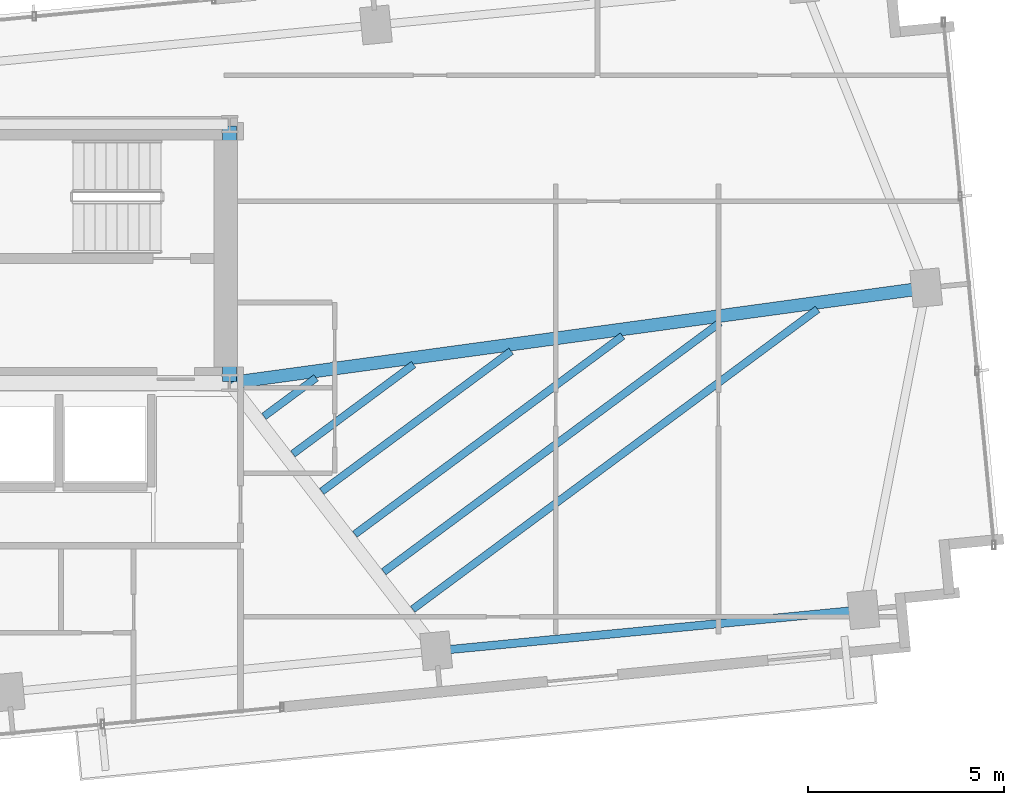
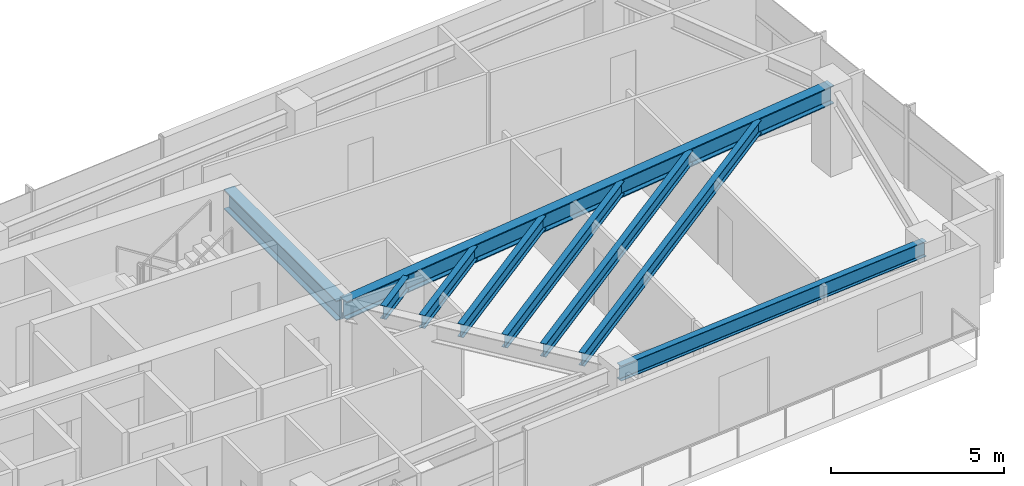
# One storey, part 9 of 18: 9 beams.
"""IFC4 building model written with IfcOpenShell, lengths in metres."""

from ifc_helpers import new_model, si_unit, direction, frame, origin, origin_2d, place, context, subcontext, project, spatial, i_section, extrude, source, transform, mapped, material, material_profile, profile_set, type_object, type_shapes, element, save


model = new_model("IFC4")

# Units and contexts
model_context = context("Model", 3, precision=1e-05, world=origin(), true_north=direction((0.0, 1.0)))
body_context = subcontext(model_context, "Body", "Model", "MODEL_VIEW")
ifc_project = project(units=[si_unit("LENGTHUNIT", "METRE"), si_unit("AREAUNIT", "SQUARE_METRE"), si_unit("VOLUMEUNIT", "CUBIC_METRE"), si_unit("PLANEANGLEUNIT", "RADIAN"), si_unit("MASSUNIT", "GRAM", prefix="KILO")], contexts=[model_context])

# Site, building, storey
site_placement = place(None, origin())
site = spatial("IfcSite", under=ifc_project, at=site_placement, CompositionType="ELEMENT")
building_placement = place(site_placement, origin())
building = spatial("IfcBuilding", under=site, at=building_placement, Name="Astriad Promenade Condominiums", CompositionType="ELEMENT")
storey_placement = place(building_placement, frame((0.0, 0.0, 179.39990234375)))
storey = spatial("IfcBuildingStorey", under=building, at=storey_placement, Name="L51", CompositionType="ELEMENT", Elevation=179.39990234375)

# Beams
ifc_material = material(Name="Steel ASTM A992 Grade 50", Category="steel")
ifc_material_profile_1 = material_profile(ifc_material, i_section(OverallWidth=0.35791015625, OverallDepth=0.706298828125, WebThickness=0.018310546875, FlangeThickness=0.0302734375, FilletRadius=0.020263671875, at=origin_2d()), Name="W27X178")
ifc_profile_set_1 = profile_set([ifc_material_profile_1], Name="Steel ASTM A992 Grade 50")
beam_type_1 = type_object("IfcBeamType", Name="STEEL FLOOR GIRDER W27X178", PredefinedType="BEAM", material=ifc_profile_set_1)
shared_shape_1 = source(origin(), body_context, "Body", "SweptSolid", [
    extrude(i_section(OverallWidth=0.35791015625, OverallDepth=0.706298828125, WebThickness=0.018310546875, FlangeThickness=0.0302734375, FilletRadius=0.020263671875, at=origin_2d()), origin(), (0.0, 0.0, 1.0), 6.52001953125),
])
type_shapes(beam_type_1, [shared_shape_1])
beam_1_placement = place(storey_placement, frame((45.60009765625, 17.43994140625, 2.5869140625), z_axis=(0.0, 1.0, 0.0), x_axis=(-1.0, 0.0, 0.0)))
element("IfcBeam", 1, at=beam_1_placement, inside=storey, type_object=beam_type_1, Name="Core Ring Beam CG-E1-L51", PredefinedType="BEAM", context=body_context, shape_type="MappedRepresentation", body=[
    mapped(shared_shape_1, transform((0.0, 0.0, 0.0), scale=1.0)),
])
ifc_material_profile_2 = material_profile(ifc_material, i_section(OverallWidth=0.210693359375, OverallDepth=0.53955078125, WebThickness=0.01171875, FlangeThickness=0.018798828125, FilletRadius=0.0166015625, at=origin_2d()), Name="W21X73")
ifc_profile_set_2 = profile_set([ifc_material_profile_2], Name="Steel ASTM A992 Grade 50")
beam_type_2 = type_object("IfcBeamType", Name="STEEL SPANDREL BEAM W21X73", PredefinedType="SPANDREL", material=ifc_profile_set_2)
shared_shape_2 = source(origin(), body_context, "Body", "SweptSolid", [
    extrude(i_section(OverallWidth=0.210693359375, OverallDepth=0.53955078125, WebThickness=0.01171875, FlangeThickness=0.018798828125, FilletRadius=0.0166015625, at=origin_2d()), origin(), (0.0, 0.0, 1.0), 10.869873046875),
])
type_shapes(beam_type_2, [shared_shape_2])
beam_2_placement = place(storey_placement, frame((50.908203125, 10.5703125, 2.67041015625), z_axis=(0.995396922692, 0.095838229819, 0.0), x_axis=(-0.095838229819, 0.995396922692, 0.0)))
element("IfcBeam", 2, at=beam_2_placement, inside=storey, type_object=beam_type_2, Name="Perimeter Spandrel Beam SP-S4-L51", PredefinedType="SPANDREL", context=body_context, shape_type="MappedRepresentation", body=[
    mapped(shared_shape_2, transform((0.0, 0.0, 0.0), scale=1.0)),
])
ifc_material_profile_3 = material_profile(ifc_material, i_section(OverallWidth=0.327392578125, OverallDepth=0.640625, WebThickness=0.01904296875, FlangeThickness=0.033935546875, FilletRadius=0.017822265625, at=origin_2d()), Name="W24X176")
ifc_profile_set_3 = profile_set([ifc_material_profile_3], Name="Steel ASTM A992 Grade 50")
beam_type_3 = type_object("IfcBeamType", Name="STEEL FLOOR GIRDER W24X176", PredefinedType="BEAM", material=ifc_profile_set_3)
shared_shape_3 = source(origin(), body_context, "Body", "SweptSolid", [
    extrude(i_section(OverallWidth=0.327392578125, OverallDepth=0.640625, WebThickness=0.01904296875, FlangeThickness=0.033935546875, FilletRadius=0.017822265625, at=origin_2d()), origin(), (0.0, 0.0, 1.0), 17.853271484375),
])
type_shapes(beam_type_3, [shared_shape_3])
beam_3_placement = place(storey_placement, frame((63.32861328125, 19.82177734375, 2.619873046875), z_axis=(-0.990799186345, -0.135340209612, 0.0), x_axis=(0.135340209612, -0.990799186345, 0.0)))
element("IfcBeam", 3, at=beam_3_placement, inside=storey, type_object=beam_type_3, Name="Primary Floor Girder PG-EM-L51", PredefinedType="BEAM", context=body_context, shape_type="MappedRepresentation", body=[
    mapped(shared_shape_3, transform((0.0, 0.0, 0.0), scale=1.0)),
])
ifc_material_profile_4 = material_profile(ifc_material, i_section(OverallWidth=0.19287109375, OverallDepth=0.466064453125, WebThickness=0.011474609375, FlangeThickness=0.01904296875, FilletRadius=0.01513671875, at=origin_2d()), Name="W18X65")
ifc_profile_set_4 = profile_set([ifc_material_profile_4], Name="Steel ASTM A992 Grade 50")
beam_type_4 = type_object("IfcBeamType", Name="STEEL FLOOR JOIST W18X65", PredefinedType="JOIST", material=ifc_profile_set_4)
shared_shape_4 = source(origin(), body_context, "Body", "SweptSolid", [
    extrude(i_section(OverallWidth=0.19287109375, OverallDepth=0.466064453125, WebThickness=0.011474609375, FlangeThickness=0.01904296875, FilletRadius=0.01513671875, at=origin_2d()), origin(), (0.0, 0.0, 1.0), 12.85498046875),
])
beam_4_placement = place(storey_placement, frame((50.27001953125, 11.626220703125, 2.70703125), z_axis=(0.803505042716, 0.595297947526, 0.0), x_axis=(-0.595297947526, 0.803505042716, 0.0)))
element("IfcBeam", 4, at=beam_4_placement, inside=storey, type_object=beam_type_4, Name="Secondary Composite Floor Joist JE1-1-L51", PredefinedType="JOIST", context=body_context, shape_type="MappedRepresentation", body=[
    mapped(shared_shape_4, transform((0.0, 0.0, 0.0), scale=1.0)),
])
shared_shape_5 = source(origin(), body_context, "Body", "SweptSolid", [
    extrude(i_section(OverallWidth=0.19287109375, OverallDepth=0.466064453125, WebThickness=0.011474609375, FlangeThickness=0.01904296875, FilletRadius=0.01513671875, at=origin_2d()), origin(), (0.0, 0.0, 1.0), 10.677001953125),
])
beam_5_placement = place(storey_placement, frame((49.532470703125, 12.5830078125, 2.70703125), z_axis=(0.803509393025, 0.595292075641, 0.0), x_axis=(-0.595292075641, 0.803509393025, 0.0)))
element("IfcBeam", 5, at=beam_5_placement, inside=storey, type_object=beam_type_4, Name="Secondary Composite Floor Joist JE1-2-L51", PredefinedType="JOIST", context=body_context, shape_type="MappedRepresentation", body=[
    mapped(shared_shape_5, transform((0.0, 0.0, 0.0), scale=1.0)),
])
shared_shape_6 = source(origin(), body_context, "Body", "SweptSolid", [
    extrude(i_section(OverallWidth=0.19287109375, OverallDepth=0.466064453125, WebThickness=0.011474609375, FlangeThickness=0.01904296875, FilletRadius=0.01513671875, at=origin_2d()), origin(), (0.0, 0.0, 1.0), 8.4990234375),
])
beam_6_placement = place(storey_placement, frame((48.794921875, 13.539794921875, 2.70703125), z_axis=(0.803515972929, 0.595283194159, 0.0), x_axis=(-0.595283194159, 0.803515972929, 0.0)))
element("IfcBeam", 6, at=beam_6_placement, inside=storey, type_object=beam_type_4, Name="Secondary Composite Floor Joist JE1-3-L51", PredefinedType="JOIST", context=body_context, shape_type="MappedRepresentation", body=[
    mapped(shared_shape_6, transform((0.0, 0.0, 0.0), scale=1.0)),
])
shared_shape_7 = source(origin(), body_context, "Body", "SweptSolid", [
    extrude(i_section(OverallWidth=0.19287109375, OverallDepth=0.466064453125, WebThickness=0.011474609375, FlangeThickness=0.01904296875, FilletRadius=0.01513671875, at=origin_2d()), origin(), (0.0, 0.0, 1.0), 6.01025390625),
])
beam_7_placement = place(storey_placement, frame((47.951904296875, 14.633056640625, 2.70703125), z_axis=(0.803510418138, 0.595290691968, 0.0), x_axis=(-0.595290691968, 0.803510418138, 0.0)))
element("IfcBeam", 7, at=beam_7_placement, inside=storey, type_object=beam_type_4, Name="Secondary Composite Floor Joist JE1-4-L51", PredefinedType="JOIST", context=body_context, shape_type="MappedRepresentation", body=[
    mapped(shared_shape_7, transform((0.0, 0.0, 0.0), scale=1.0)),
])
shared_shape_8 = source(origin(), body_context, "Body", "SweptSolid", [
    extrude(i_section(OverallWidth=0.19287109375, OverallDepth=0.466064453125, WebThickness=0.011474609375, FlangeThickness=0.01904296875, FilletRadius=0.01513671875, at=origin_2d()), origin(), (0.0, 0.0, 1.0), 3.832275390625),
])
beam_8_placement = place(storey_placement, frame((47.21435546875, 15.58984375, 2.70703125), z_axis=(0.803525593062, 0.59527020864, 0.0), x_axis=(-0.59527020864, 0.803525593062, 0.0)))
element("IfcBeam", 8, at=beam_8_placement, inside=storey, type_object=beam_type_4, Name="Secondary Composite Floor Joist JE1-5-L51", PredefinedType="JOIST", context=body_context, shape_type="MappedRepresentation", body=[
    mapped(shared_shape_8, transform((0.0, 0.0, 0.0), scale=1.0)),
])
shared_shape_9 = source(origin(), body_context, "Body", "SweptSolid", [
    extrude(i_section(OverallWidth=0.19287109375, OverallDepth=0.466064453125, WebThickness=0.011474609375, FlangeThickness=0.01904296875, FilletRadius=0.01513671875, at=origin_2d()), origin(), (0.0, 0.0, 1.0), 1.654541015625),
])
type_shapes(beam_type_4, [shared_shape_4, shared_shape_5, shared_shape_6, shared_shape_7, shared_shape_8, shared_shape_9])
beam_9_placement = place(storey_placement, frame((46.476806640625, 16.54638671875, 2.70703125), z_axis=(0.803510136239, 0.595291072468, 0.0), x_axis=(-0.595291072468, 0.803510136239, 0.0)))
element("IfcBeam", 9, at=beam_9_placement, inside=storey, type_object=beam_type_4, Name="Secondary Composite Floor Joist JE1-6-L51", PredefinedType="JOIST", context=body_context, shape_type="MappedRepresentation", body=[
    mapped(shared_shape_9, transform((0.0, 0.0, 0.0), scale=1.0)),
])

save(model, "model.ifc")
